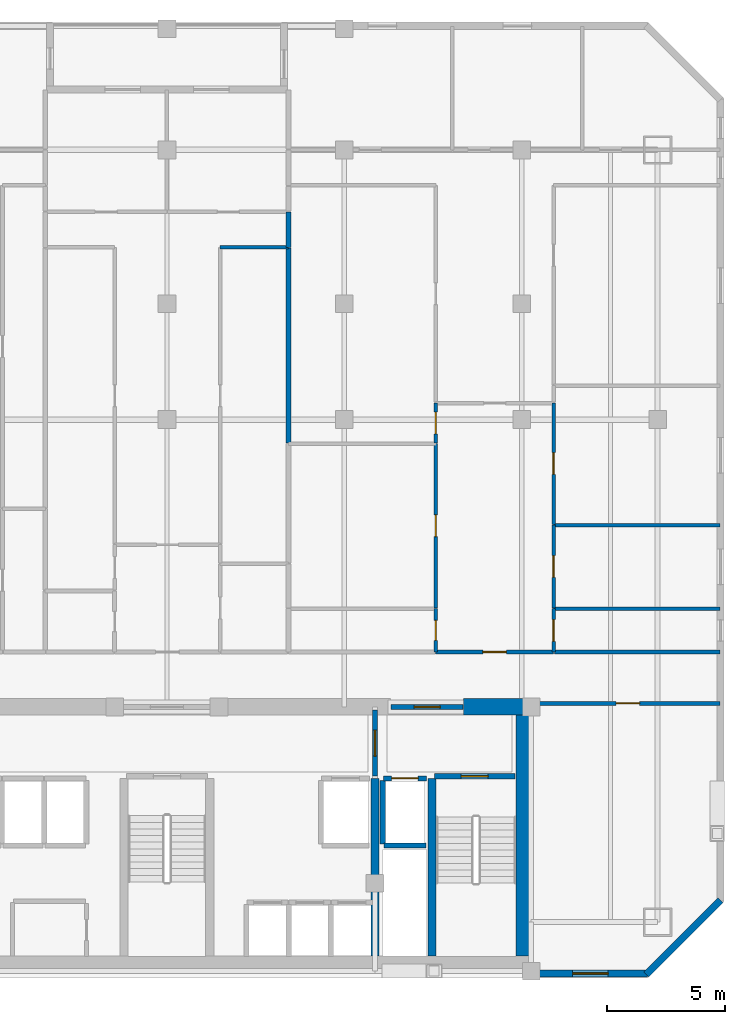
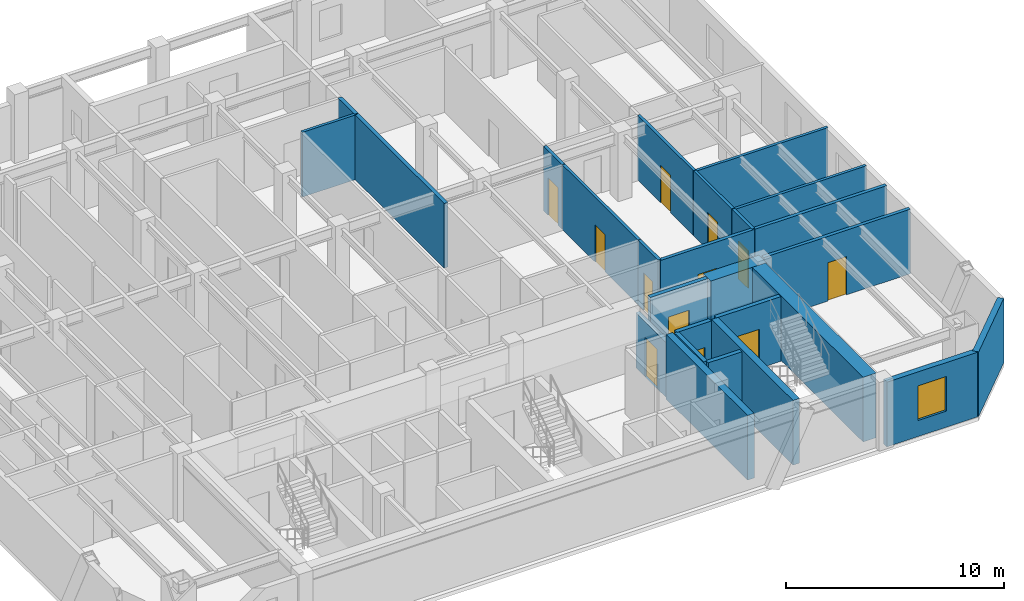
# One storey, part 5 of 8: 26 walls, 12 doors, 1 window, 13 openings.
"""IFC4 building model written with IfcOpenShell, lengths in metres."""

from ifc_helpers import new_model, si_unit, direction, frame, frame_2d, origin, place, context, subcontext, project, spatial, rectangle, extrude, material, layer, layer_set, type_object, element, fill, save


model = new_model("IFC4")

# Units and contexts
model_context = context("Model", 3, precision=1e-05, world=origin(), true_north=direction((0.0, 1.0)))
body_context = subcontext(model_context, "Body", "Model", "MODEL_VIEW")
ifc_project = project(units=[si_unit("LENGTHUNIT", "METRE"), si_unit("AREAUNIT", "SQUARE_METRE"), si_unit("VOLUMEUNIT", "CUBIC_METRE"), si_unit("PLANEANGLEUNIT", "RADIAN"), si_unit("MASSUNIT", "GRAM", prefix="KILO")], contexts=[model_context])

# Site, building, storey
site_placement = place(None, origin())
site = spatial("IfcSite", under=ifc_project, at=site_placement, CompositionType="ELEMENT")
building_placement = place(site_placement, origin())
building = spatial("IfcBuilding", under=site, at=building_placement, Name="Ventersveld Concourse Tower", CompositionType="ELEMENT")
storey_placement = place(building_placement, frame((0.0, 0.0, 176.0)))
storey = spatial("IfcBuildingStorey", under=building, at=storey_placement, Name="L43", CompositionType="ELEMENT", Elevation=176.0)

# Walls
ifc_material_1 = material(Name="Concrete C60/75", Category="concrete")
ifc_layer_1 = layer(ifc_material_1, 0.35009765625)
ifc_layer_set_1 = layer_set([ifc_layer_1], Name="Concrete C60/75")
wall_type_1 = type_object("IfcWallType", Name="WL-CORE-350L", PredefinedType="SHEAR", material=ifc_layer_set_1)
for number, where, z_axis, x_axis, name in (
    (1, (37.550048828125, 0.919921875, 0.0), (0.0, 0.0, 1.0), (0.0, 1.0, 0.0), "L43 Core Internal Shear Web W-SVL-W"),
    (2, (39.9599609375, 0.919921875, 0.0), (0.0, 0.0, 1.0), (0.0, 1.0, 0.0), "L43 Core Internal Shear Web W-ST2-W"),
):
    element("IfcWall", number, at=place(storey_placement, frame(where, z_axis=z_axis, x_axis=x_axis)), inside=storey, type_object=wall_type_1, Name=name, PredefinedType="SHEAR", context=body_context, shape_type="SweptSolid", body=[
        extrude(rectangle(XDim=7.5, YDim=0.35009765625, at=frame_2d((3.75, 0.0))), origin(), (0.0, 0.0, 1.0), 3.6298828125),
    ])
ifc_layer_2 = layer(ifc_material_1, 0.699951171875)
ifc_layer_set_2 = layer_set([ifc_layer_2], Name="Concrete C60/75")
wall_type_2 = type_object("IfcWallType", Name="WL-CORE-700", PredefinedType="SHEAR", material=ifc_layer_set_2)
wall_1_placement = place(storey_placement, frame((43.85009765625, 0.919921875, 0.0), z_axis=(0.0, 0.0, 1.0), x_axis=(0.0, 1.0, 0.0)))
element("IfcWall", 3, at=wall_1_placement, inside=storey, type_object=wall_type_2, Name="L43 Rear Core East Shear Wall", PredefinedType="SHEAR", context=body_context, shape_type="SweptSolid", body=[
    extrude(rectangle(XDim=10.530029296875, YDim=0.699951171875, at=frame_2d((5.26513671875, 0.0))), origin(), (0.0, 0.0, 1.0), 3.6298828125),
])
wall_2_placement = place(storey_placement, frame((41.300048828125, 11.449951171875, 0.0), z_axis=(0.0, 0.0, 1.0), x_axis=(1.0, 0.0, 0.0)))
element("IfcWall", 4, at=wall_2_placement, inside=storey, type_object=wall_type_2, Name="L43 Rear Core North Shear Wall NE", PredefinedType="SHEAR", context=body_context, shape_type="SweptSolid", body=[
    extrude(rectangle(XDim=2.949951171875, YDim=0.699951171875, at=frame_2d((1.47509765625, 0.0))), origin(), (0.0, 0.0, 1.0), 3.6298828125),
])

# Wall, opening, door
ifc_material_2 = material(Name="Fire-rated autoclaved aerated masonry blockwork", Category="masonry")
ifc_layer_3 = layer(ifc_material_2, 0.179931640625)
ifc_layer_set_3 = layer_set([ifc_layer_3], Name="Fire-rated autoclaved aerated masonry blockwork")
wall_type_3 = type_object("IfcWallType", Name="WL-CORR-180", PredefinedType="PARTITIONING", material=ifc_layer_set_3)
wall_3_placement = place(storey_placement, frame((44.35498046875, 11.60009765625, 0.0), z_axis=(0.0, 0.0, 1.0), x_axis=(1.0, 0.0, 0.0)))
wall_3 = element("IfcWall", 5, at=wall_3_placement, inside=storey, type_object=wall_type_3, Name="L43 Interior Partition SP-L43-SE-OFF-SP-L43-COR", PredefinedType="PARTITIONING", context=body_context, shape_type="SweptSolid", body=[
    extrude(rectangle(XDim=7.7724609375, YDim=0.179931640625, at=frame_2d((3.88623046875, 0.0))), origin(), (0.0, 0.0, 1.0), 3.6298828125),
])
opening_1_placement = place(wall_3_placement, frame((3.38623046875, 0.0, 0.0)))
opening_1 = element("IfcOpeningElement", 6, at=opening_1_placement, cuts=wall_3, Name="Opening FD3", PredefinedType="OPENING", context=body_context, shape_type="SweptSolid", body=[
    extrude(rectangle(XDim=1.0, YDim=2.14990234375, at=frame_2d((0.5, 1.074951171875))), frame((0.0, 0.10009765625, 0.0), z_axis=(0.0, -1.0, 0.0), x_axis=(1.0, 0.0, 0.0)), (0.0, 0.0, 1.0), 0.199951171875),
])
ifc_material_3 = material(Name="Solid-core hardwood veneer timber", Category="wood")
door_type_1 = type_object("IfcDoorType", Name="DR-FLAT-100", OperationType="NOTDEFINED", PredefinedType="DOOR", material=ifc_material_3)
door_1_placement = place(opening_1_placement, origin())
door_1 = element("IfcDoor", 7, at=door_1_placement, inside=storey, type_object=door_type_1, Name="L43 Interior Door SP-L43-SE-OFF to SP-L43-COR (D-L43-2102)", OperationType="SINGLE_SWING_RIGHT", OverallHeight=2.14990234375, OverallWidth=1.0, PredefinedType="DOOR", context=body_context, shape_type="SweptSolid", body=[
    extrude(rectangle(XDim=1.0, YDim=2.14990234375, at=frame_2d((0.5, 1.074951171875))), frame((0.0, 0.02490234375, 0.0), z_axis=(0.0, -1.0, 0.0), x_axis=(1.0, 0.0, 0.0)), (0.0, 0.0, 1.0), 0.050048828125),
])
fill(opening_1, door_1)

wall_4_placement = place(storey_placement, frame((40.112548828125, 13.77001953125, 0.0), z_axis=(0.0, 0.0, 1.0), x_axis=(1.0, 0.0, 0.0)))
wall_4 = element("IfcWall", 8, at=wall_4_placement, inside=storey, type_object=wall_type_3, Name="L43 Interior Partition SP-L43-COR-SP-L43-43CE-FOY", PredefinedType="PARTITIONING", context=body_context, shape_type="SweptSolid", body=[
    extrude(rectangle(XDim=4.989990234375, YDim=0.179931640625, at=frame_2d((2.4951171875, 0.0))), origin(), (0.0, 0.0, 1.0), 3.6298828125),
])
opening_2_placement = place(wall_4_placement, frame((1.9951171875, 0.0, 0.0)))
opening_2 = element("IfcOpeningElement", 9, at=opening_2_placement, cuts=wall_4, Name="Opening FD3", PredefinedType="OPENING", context=body_context, shape_type="SweptSolid", body=[
    extrude(rectangle(XDim=1.0, YDim=2.14990234375, at=frame_2d((0.5, 1.074951171875))), frame((0.0, 0.10009765625, 0.0), z_axis=(0.0, -1.0, 0.0), x_axis=(1.0, 0.0, 0.0)), (0.0, 0.0, 1.0), 0.199951171875),
])
door_2_placement = place(opening_2_placement, origin())
door_2 = element("IfcDoor", 10, at=door_2_placement, inside=storey, type_object=door_type_1, Name="L43 Interior Door SP-L43-COR to SP-L43-43CE-FOY (FD-L43-2105)", OperationType="SINGLE_SWING_LEFT", OverallHeight=2.14990234375, OverallWidth=1.0, PredefinedType="DOOR", context=body_context, shape_type="SweptSolid", body=[
    extrude(rectangle(XDim=1.0, YDim=2.14990234375, at=frame_2d((0.5, 1.074951171875))), frame((0.0, 0.02490234375, 0.0), z_axis=(0.0, -1.0, 0.0), x_axis=(1.0, 0.0, 0.0)), (0.0, 0.0, 1.0), 0.050048828125),
])
fill(opening_2, door_2)

# Walls
wall_5_placement = place(storey_placement, frame((45.132568359375, 13.77001953125, 0.0), z_axis=(0.0, 0.0, 1.0), x_axis=(1.0, 0.0, 0.0)))
element("IfcWall", 11, at=wall_5_placement, inside=storey, type_object=wall_type_3, Name="L43 Interior Partition SP-L43-COR-SP-L43-43CE-KIT", PredefinedType="PARTITIONING", context=body_context, shape_type="SweptSolid", body=[
    extrude(rectangle(XDim=6.994873046875, YDim=0.179931640625, at=frame_2d((3.49755859375, 0.0))), origin(), (0.0, 0.0, 1.0), 3.6298828125),
])
ifc_layer_4 = layer(ifc_material_2, 0.199951171875)
ifc_layer_set_4 = layer_set([ifc_layer_4], Name="Fire-rated autoclaved aerated masonry blockwork")
wall_type_4 = type_object("IfcWallType", Name="WL-DEMISE-200", PredefinedType="PARTITIONING", material=ifc_layer_set_4)
wall_6_placement = place(storey_placement, frame((33.889892578125, 30.875, 0.0), z_axis=(0.0, 0.0, 1.0), x_axis=(0.0, 1.0, 0.0)))
element("IfcWall", 12, at=wall_6_placement, inside=storey, type_object=wall_type_4, Name="L43 Interior Partition SP-L43-43CE-DENL2-SP-L43-43CM-LIV", PredefinedType="PARTITIONING", context=body_context, shape_type="SweptSolid", body=[
    extrude(rectangle(XDim=1.510009765625, YDim=0.199951171875, at=frame_2d((0.7548828125, 0.0))), origin(), (0.0, 0.0, 1.0), 3.6298828125),
])
wall_7_placement = place(storey_placement, frame((33.889892578125, 22.609619140625, 0.0), z_axis=(0.0, 0.0, 1.0), x_axis=(0.0, 1.0, 0.0)))
element("IfcWall", 13, at=wall_7_placement, inside=storey, type_object=wall_type_4, Name="L43 Interior Partition SP-L43-43CE-DENL2-SP-L43-43CM-SEMR1", PredefinedType="PARTITIONING", context=body_context, shape_type="SweptSolid", body=[
    extrude(rectangle(XDim=8.2353515625, YDim=0.199951171875, at=frame_2d((4.11767578125, 0.0))), origin(), (0.0, 0.0, 1.0), 3.6298828125),
])
ifc_layer_5 = layer(ifc_material_2, 0.219970703125)
ifc_layer_set_5 = layer_set([ifc_layer_5], Name="Fire-rated autoclaved aerated masonry blockwork")
wall_type_5 = type_object("IfcWallType", Name="WL-HOIST-220", PredefinedType="SOLIDWALL", material=ifc_layer_set_5)
wall_8_placement = place(storey_placement, frame((37.919921875, 5.590087890625, 0.0), z_axis=(0.0, 0.0, 1.0), x_axis=(1.0, 0.0, 0.0)))
element("IfcWall", 14, at=wall_8_placement, inside=storey, type_object=wall_type_5, Name="L43 Lift Hoistway Back Wall FFL-02", PredefinedType="SOLIDWALL", context=body_context, shape_type="SweptSolid", body=[
    extrude(rectangle(XDim=1.780029296875, YDim=0.219970703125, at=frame_2d((0.89013671875, 0.0))), origin(), (0.0, 0.0, 1.0), 3.6298828125),
])
wall_9_placement = place(storey_placement, frame((37.8798828125, 5.64990234375, 0.0), z_axis=(0.0, 0.0, 1.0), x_axis=(0.0, 1.0, 0.0)))
element("IfcWall", 15, at=wall_9_placement, inside=storey, type_object=wall_type_5, Name="L43 Lift Hoistway Side Wall FFL-02W", PredefinedType="SOLIDWALL", context=body_context, shape_type="SweptSolid", body=[
    extrude(rectangle(XDim=2.7001953125, YDim=0.219970703125, at=frame_2d((1.35009765625, 0.0))), origin(), (0.0, 0.0, 1.0), 3.6298828125),
])

# Wall, opening, door
wall_10_placement = place(storey_placement, frame((37.89990234375, 8.429931640625, 0.0), z_axis=(0.0, 0.0, 1.0), x_axis=(1.0, 0.0, 0.0)))
wall_10 = element("IfcWall", 16, at=wall_10_placement, inside=storey, type_object=wall_type_5, Name="L43 Lift Hoistway Front Wall FFL-02", PredefinedType="SOLIDWALL", context=body_context, shape_type="SweptSolid", body=[
    extrude(rectangle(XDim=1.820068359375, YDim=0.219970703125, at=frame_2d((0.91015625, 0.0))), origin(), (0.0, 0.0, 1.0), 3.6298828125),
])
opening_3_placement = place(wall_10_placement, frame((0.35009765625, 0.0, 0.0)))
opening_3 = element("IfcOpeningElement", 17, at=opening_3_placement, cuts=wall_10, Name="Opening LD1", PredefinedType="OPENING", context=body_context, shape_type="SweptSolid", body=[
    extrude(rectangle(XDim=1.1201171875, YDim=2.25, at=frame_2d((0.56005859375, 1.125))), frame((0.0, 0.1201171875, 0.0), z_axis=(0.0, -1.0, 0.0), x_axis=(1.0, 0.0, 0.0)), (0.0, 0.0, 1.0), 0.239990234375),
])
ifc_material_4 = material(Name="Brushed stainless steel 316", Category="steel")
door_type_2 = type_object("IfcDoorType", Name="LD-FF-112", OperationType="SLIDING_TO_LEFT", PredefinedType="DOOR", material=ifc_material_4)
door_3_placement = place(opening_3_placement, origin())
door_3 = element("IfcDoor", 18, at=door_3_placement, inside=storey, type_object=door_type_2, Name="L43 Lift landing door FFL-02 (LD-L43-FFL-02)", OperationType="SLIDING_TO_RIGHT", OverallHeight=2.25, OverallWidth=1.1201171875, PredefinedType="DOOR", context=body_context, shape_type="SweptSolid", body=[
    extrude(rectangle(XDim=1.1201171875, YDim=2.25, at=frame_2d((0.56005859375, 1.125))), frame((0.0, 0.02490234375, 0.0), z_axis=(0.0, -1.0, 0.0), x_axis=(1.0, 0.0, 0.0)), (0.0, 0.0, 1.0), 0.050048828125),
])
fill(opening_3, door_3)

wall_11_placement = place(storey_placement, frame((40.06005859375, 8.52001953125, 0.0), z_axis=(0.0, 0.0, 1.0), x_axis=(1.0, 0.0, 0.0)))
wall_11 = element("IfcWall", 19, at=wall_11_placement, inside=storey, type_object=wall_type_5, Name="L43 Escape Stair ST02 Fire Wall", PredefinedType="SOLIDWALL", context=body_context, shape_type="SweptSolid", body=[
    extrude(rectangle(XDim=3.39990234375, YDim=0.219970703125, at=frame_2d((1.699951171875, 0.0))), origin(), (0.0, 0.0, 1.0), 3.6298828125),
])
opening_4_placement = place(wall_11_placement, frame((1.125, 0.0, 0.0)))
opening_4 = element("IfcOpeningElement", 20, at=opening_4_placement, cuts=wall_11, Name="Opening FD1", PredefinedType="OPENING", context=body_context, shape_type="SweptSolid", body=[
    extrude(rectangle(XDim=1.14990234375, YDim=2.199951171875, at=frame_2d((0.574951171875, 1.10009765625))), frame((0.0, 0.1201171875, 0.0), z_axis=(0.0, -1.0, 0.0), x_axis=(1.0, 0.0, 0.0)), (0.0, 0.0, 1.0), 0.239990234375),
])
ifc_material_5 = material(Name="Galvanised painted steel", Category="steel")
door_type_3 = type_object("IfcDoorType", Name="DR-STAIR-115", OperationType="NOTDEFINED", PredefinedType="DOOR", material=ifc_material_5)
door_4_placement = place(opening_4_placement, origin())
door_4 = element("IfcDoor", 21, at=door_4_placement, inside=storey, type_object=door_type_3, Name="L43 Escape Stair Door ST02 (SD-L43-2093)", OperationType="SINGLE_SWING_RIGHT", OverallHeight=2.199951171875, OverallWidth=1.14990234375, PredefinedType="DOOR", context=body_context, shape_type="SweptSolid", body=[
    extrude(rectangle(XDim=1.14990234375, YDim=2.199951171875, at=frame_2d((0.574951171875, 1.10009765625))), frame((0.0, 0.02490234375, 0.0), z_axis=(0.0, -1.0, 0.0), x_axis=(1.0, 0.0, 0.0)), (0.0, 0.0, 1.0), 0.050048828125),
])
fill(opening_4, door_4)

wall_12_placement = place(storey_placement, frame((37.550048828125, 8.52001953125, 0.0), z_axis=(0.0, 0.0, 1.0), x_axis=(0.0, 1.0, 0.0)))
wall_12 = element("IfcWall", 22, at=wall_12_placement, inside=storey, type_object=wall_type_5, Name="L43 Firefighting Lobby Smoke-Stop Wall FFLE-SEP", PredefinedType="SOLIDWALL", context=body_context, shape_type="SweptSolid", body=[
    extrude(rectangle(XDim=2.800048828125, YDim=0.219970703125, at=frame_2d((1.39990234375, 0.0))), origin(), (0.0, 0.0, 1.0), 3.08544921875),
])
opening_5_placement = place(wall_12_placement, frame((0.85009765625, 0.0, 0.0)))
opening_5 = element("IfcOpeningElement", 23, at=opening_5_placement, cuts=wall_12, Name="Opening FD2", PredefinedType="OPENING", context=body_context, shape_type="SweptSolid", body=[
    extrude(rectangle(XDim=1.10009765625, YDim=2.199951171875, at=frame_2d((0.550048828125, 1.10009765625))), frame((0.0, 0.1201171875, 0.0), z_axis=(0.0, -1.0, 0.0), x_axis=(1.0, 0.0, 0.0)), (0.0, 0.0, 1.0), 0.239990234375),
])
door_type_4 = type_object("IfcDoorType", Name="DR-FFL-110", OperationType="NOTDEFINED", PredefinedType="DOOR", material=ifc_material_5)
door_5_placement = place(opening_5_placement, origin())
door_5 = element("IfcDoor", 24, at=door_5_placement, inside=storey, type_object=door_type_4, Name="L43 Firefighting Lobby Door FFLE-SEP (FD-L43-2096)", OperationType="SINGLE_SWING_RIGHT", OverallHeight=2.199951171875, OverallWidth=1.10009765625, PredefinedType="DOOR", context=body_context, shape_type="SweptSolid", body=[
    extrude(rectangle(XDim=1.10009765625, YDim=2.199951171875, at=frame_2d((0.550048828125, 1.10009765625))), frame((0.0, 0.02490234375, 0.0), z_axis=(0.0, -1.0, 0.0), x_axis=(1.0, 0.0, 0.0)), (0.0, 0.0, 1.0), 0.050048828125),
])
fill(opening_5, door_5)

wall_13_placement = place(storey_placement, frame((38.22998046875, 11.449951171875, 0.0), z_axis=(0.0, 0.0, 1.0), x_axis=(1.0, 0.0, 0.0)))
wall_13 = element("IfcWall", 25, at=wall_13_placement, inside=storey, type_object=wall_type_5, Name="L43 Core North Fire Portal FFLE-OUT", PredefinedType="SOLIDWALL", context=body_context, shape_type="SweptSolid", body=[
    extrude(rectangle(XDim=3.0400390625, YDim=0.219970703125, at=frame_2d((1.52001953125, 0.0))), origin(), (0.0, 0.0, 1.0), 3.6298828125),
])
opening_6_placement = place(wall_13_placement, frame((0.969970703125, 0.0, 0.0)))
opening_6 = element("IfcOpeningElement", 26, at=opening_6_placement, cuts=wall_13, Name="Opening FD2", PredefinedType="OPENING", context=body_context, shape_type="SweptSolid", body=[
    extrude(rectangle(XDim=1.10009765625, YDim=2.199951171875, at=frame_2d((0.550048828125, 1.10009765625))), frame((0.0, 0.1201171875, 0.0), z_axis=(0.0, -1.0, 0.0), x_axis=(1.0, 0.0, 0.0)), (0.0, 0.0, 1.0), 0.239990234375),
])
door_6_placement = place(opening_6_placement, origin())
door_6 = element("IfcDoor", 27, at=door_6_placement, inside=storey, type_object=door_type_4, Name="L43 Core Lobby Fire Door FFLE-OUT (FD-L43-2099)", OperationType="SINGLE_SWING_LEFT", OverallHeight=2.199951171875, OverallWidth=1.10009765625, PredefinedType="DOOR", context=body_context, shape_type="SweptSolid", body=[
    extrude(rectangle(XDim=1.10009765625, YDim=2.199951171875, at=frame_2d((0.550048828125, 1.10009765625))), frame((0.0, 0.02490234375, 0.0), z_axis=(0.0, -1.0, 0.0), x_axis=(1.0, 0.0, 0.0)), (0.0, 0.0, 1.0), 0.050048828125),
])
fill(opening_6, door_6)

ifc_material_6 = material(Name="Autoclaved aerated masonry blockwork", Category="masonry")
ifc_layer_6 = layer(ifc_material_6, 0.14990234375)
ifc_layer_set_6 = layer_set([ifc_layer_6], Name="Autoclaved aerated masonry blockwork")
wall_type_6 = type_object("IfcWallType", Name="WL-INT-150", PredefinedType="PARTITIONING", material=ifc_layer_set_6)
wall_14_placement = place(storey_placement, frame((40.11767578125, 15.635009765625, 0.0), z_axis=(0.0, 0.0, 1.0), x_axis=(0.0, 1.0, 0.0)))
wall_14 = element("IfcWall", 28, at=wall_14_placement, inside=storey, type_object=wall_type_6, Name="L43 Interior Partition SP-L43-43CE-FOY-SP-L43-43CE-MEDL0", PredefinedType="PARTITIONING", context=body_context, shape_type="SweptSolid", body=[
    extrude(rectangle(XDim=6.944580078125, YDim=0.14990234375, at=frame_2d((3.47216796875, 0.0))), origin(), (0.0, 0.0, 1.0), 3.6298828125),
])
opening_7_placement = place(wall_14_placement, frame((3.01220703125, 0.0, 0.0)))
opening_7 = element("IfcOpeningElement", 29, at=opening_7_placement, cuts=wall_14, Name="Opening ID1", PredefinedType="OPENING", context=body_context, shape_type="SweptSolid", body=[
    extrude(rectangle(XDim=0.919921875, YDim=2.10009765625, at=frame_2d((0.4599609375, 1.050048828125))), frame((0.0, 0.0849609375, 0.0), z_axis=(0.0, -1.0, 0.0), x_axis=(1.0, 0.0, 0.0)), (0.0, 0.0, 1.0), 0.169921875),
])
door_type_5 = type_object("IfcDoorType", Name="DR-ROOM-092", OperationType="NOTDEFINED", PredefinedType="DOOR", material=ifc_material_3)
door_7_placement = place(opening_7_placement, origin())
door_7 = element("IfcDoor", 30, at=door_7_placement, inside=storey, type_object=door_type_5, Name="L43 Interior Door SP-L43-43CE-FOY to SP-L43-43CE-MEDL0 (D-L43-2123)", OperationType="SINGLE_SWING_LEFT", OverallHeight=2.10009765625, OverallWidth=0.919921875, PredefinedType="DOOR", context=body_context, shape_type="SweptSolid", body=[
    extrude(rectangle(XDim=0.919921875, YDim=2.10009765625, at=frame_2d((0.4599609375, 1.050048828125))), frame((0.0, 0.02490234375, 0.0), z_axis=(0.0, -1.0, 0.0), x_axis=(1.0, 0.0, 0.0)), (0.0, 0.0, 1.0), 0.050048828125),
])
fill(opening_7, door_7)

wall_15_placement = place(storey_placement, frame((40.11767578125, 22.609619140625, 0.0), z_axis=(0.0, 0.0, 1.0), x_axis=(0.0, 1.0, 0.0)))
wall_15 = element("IfcWall", 31, at=wall_15_placement, inside=storey, type_object=wall_type_6, Name="L43 Interior Partition SP-L43-43CE-FOY-SP-L43-43CE-DENL2", PredefinedType="PARTITIONING", context=body_context, shape_type="SweptSolid", body=[
    extrude(rectangle(XDim=1.693603515625, YDim=0.14990234375, at=frame_2d((0.8466796875, 0.0))), origin(), (0.0, 0.0, 1.0), 3.6298828125),
])
opening_8_placement = place(wall_15_placement, frame((0.38671875, 0.0, 0.0)))
opening_8 = element("IfcOpeningElement", 32, at=opening_8_placement, cuts=wall_15, Name="Opening ID1", PredefinedType="OPENING", context=body_context, shape_type="SweptSolid", body=[
    extrude(rectangle(XDim=0.919921875, YDim=2.10009765625, at=frame_2d((0.4599609375, 1.050048828125))), frame((0.0, 0.0849609375, 0.0), z_axis=(0.0, -1.0, 0.0), x_axis=(1.0, 0.0, 0.0)), (0.0, 0.0, 1.0), 0.169921875),
])
door_8_placement = place(opening_8_placement, origin())
door_8 = element("IfcDoor", 33, at=door_8_placement, inside=storey, type_object=door_type_5, Name="L43 Interior Door SP-L43-43CE-FOY to SP-L43-43CE-DENL2 (D-L43-2124)", OperationType="SINGLE_SWING_RIGHT", OverallHeight=2.10009765625, OverallWidth=0.919921875, PredefinedType="DOOR", context=body_context, shape_type="SweptSolid", body=[
    extrude(rectangle(XDim=0.919921875, YDim=2.10009765625, at=frame_2d((0.4599609375, 1.050048828125))), frame((0.0, 0.02490234375, 0.0), z_axis=(0.0, -1.0, 0.0), x_axis=(1.0, 0.0, 0.0)), (0.0, 0.0, 1.0), 0.050048828125),
])
fill(opening_8, door_8)

wall_16_placement = place(storey_placement, frame((45.09765625, 13.764892578125, 0.0), z_axis=(0.0, 0.0, 1.0), x_axis=(0.0, 1.0, 0.0)))
wall_16 = element("IfcWall", 34, at=wall_16_placement, inside=storey, type_object=wall_type_6, Name="L43 Interior Partition SP-L43-43CE-FOY-SP-L43-43CE-KIT", PredefinedType="PARTITIONING", context=body_context, shape_type="SweptSolid", body=[
    extrude(rectangle(XDim=1.840087890625, YDim=0.14990234375, at=frame_2d((0.919921875, 0.0))), origin(), (0.0, 0.0, 1.0), 3.6298828125),
])
opening_9_placement = place(wall_16_placement, frame((0.4599609375, 0.0, 0.0)))
opening_9 = element("IfcOpeningElement", 35, at=opening_9_placement, cuts=wall_16, Name="Opening ID1", PredefinedType="OPENING", context=body_context, shape_type="SweptSolid", body=[
    extrude(rectangle(XDim=0.919921875, YDim=2.10009765625, at=frame_2d((0.4599609375, 1.050048828125))), frame((0.0, 0.0849609375, 0.0), z_axis=(0.0, -1.0, 0.0), x_axis=(1.0, 0.0, 0.0)), (0.0, 0.0, 1.0), 0.169921875),
])
door_9_placement = place(opening_9_placement, origin())
door_9 = element("IfcDoor", 36, at=door_9_placement, inside=storey, type_object=door_type_5, Name="L43 Interior Door SP-L43-43CE-FOY to SP-L43-43CE-KIT (D-L43-2125)", OperationType="SINGLE_SWING_LEFT", OverallHeight=2.10009765625, OverallWidth=0.919921875, PredefinedType="DOOR", context=body_context, shape_type="SweptSolid", body=[
    extrude(rectangle(XDim=0.919921875, YDim=2.10009765625, at=frame_2d((0.4599609375, 1.050048828125))), frame((0.0, 0.02490234375, 0.0), z_axis=(0.0, -1.0, 0.0), x_axis=(1.0, 0.0, 0.0)), (0.0, 0.0, 1.0), 0.050048828125),
])
fill(opening_9, door_9)

wall_17_placement = place(storey_placement, frame((45.09765625, 15.635009765625, 0.0), z_axis=(0.0, 0.0, 1.0), x_axis=(0.0, 1.0, 0.0)))
wall_17 = element("IfcWall", 37, at=wall_17_placement, inside=storey, type_object=wall_type_6, Name="L43 Interior Partition SP-L43-43CE-FOY-SP-L43-43CE-SEMR1", PredefinedType="PARTITIONING", context=body_context, shape_type="SweptSolid", body=[
    extrude(rectangle(XDim=3.5087890625, YDim=0.14990234375, at=frame_2d((1.75439453125, 0.0))), origin(), (0.0, 0.0, 1.0), 3.6298828125),
])
opening_10_placement = place(wall_17_placement, frame((1.29443359375, 0.0, 0.0)))
opening_10 = element("IfcOpeningElement", 38, at=opening_10_placement, cuts=wall_17, Name="Opening ID1", PredefinedType="OPENING", context=body_context, shape_type="SweptSolid", body=[
    extrude(rectangle(XDim=0.919921875, YDim=2.10009765625, at=frame_2d((0.4599609375, 1.050048828125))), frame((0.0, 0.0849609375, 0.0), z_axis=(0.0, -1.0, 0.0), x_axis=(1.0, 0.0, 0.0)), (0.0, 0.0, 1.0), 0.169921875),
])
door_10_placement = place(opening_10_placement, origin())
door_10 = element("IfcDoor", 39, at=door_10_placement, inside=storey, type_object=door_type_5, Name="L43 Interior Door SP-L43-43CE-FOY to SP-L43-43CE-SEMR1 (D-L43-2126)", OperationType="SINGLE_SWING_RIGHT", OverallHeight=2.10009765625, OverallWidth=0.919921875, PredefinedType="DOOR", context=body_context, shape_type="SweptSolid", body=[
    extrude(rectangle(XDim=0.919921875, YDim=2.10009765625, at=frame_2d((0.4599609375, 1.050048828125))), frame((0.0, 0.02490234375, 0.0), z_axis=(0.0, -1.0, 0.0), x_axis=(1.0, 0.0, 0.0)), (0.0, 0.0, 1.0), 0.050048828125),
])
fill(opening_10, door_10)

wall_18_placement = place(storey_placement, frame((45.09765625, 19.173828125, 0.0), z_axis=(0.0, 0.0, 1.0), x_axis=(0.0, 1.0, 0.0)))
wall_18 = element("IfcWall", 40, at=wall_18_placement, inside=storey, type_object=wall_type_6, Name="L43 Interior Partition SP-L43-43CE-FOY-SP-L43-43CE-DENS", PredefinedType="PARTITIONING", context=body_context, shape_type="SweptSolid", body=[
    extrude(rectangle(XDim=5.12939453125, YDim=0.14990234375, at=frame_2d((2.564697265625, 0.0))), origin(), (0.0, 0.0, 1.0), 3.6298828125),
])
opening_11_placement = place(wall_18_placement, frame((2.104736328125, 0.0, 0.0)))
opening_11 = element("IfcOpeningElement", 41, at=opening_11_placement, cuts=wall_18, Name="Opening ID1", PredefinedType="OPENING", context=body_context, shape_type="SweptSolid", body=[
    extrude(rectangle(XDim=0.919921875, YDim=2.10009765625, at=frame_2d((0.4599609375, 1.050048828125))), frame((0.0, 0.0849609375, 0.0), z_axis=(0.0, -1.0, 0.0), x_axis=(1.0, 0.0, 0.0)), (0.0, 0.0, 1.0), 0.169921875),
])
door_11_placement = place(opening_11_placement, origin())
door_11 = element("IfcDoor", 42, at=door_11_placement, inside=storey, type_object=door_type_5, Name="L43 Interior Door SP-L43-43CE-FOY to SP-L43-43CE-DENS (D-L43-2127)", OperationType="SINGLE_SWING_LEFT", OverallHeight=2.10009765625, OverallWidth=0.919921875, PredefinedType="DOOR", context=body_context, shape_type="SweptSolid", body=[
    extrude(rectangle(XDim=0.919921875, YDim=2.10009765625, at=frame_2d((0.4599609375, 1.050048828125))), frame((0.0, 0.02490234375, 0.0), z_axis=(0.0, -1.0, 0.0), x_axis=(1.0, 0.0, 0.0)), (0.0, 0.0, 1.0), 0.050048828125),
])
fill(opening_11, door_11)

# Walls
for number, where, z_axis, x_axis, name in (
    (43, (45.092529296875, 15.60009765625, 0.0), (0.0, 0.0, 1.0), (1.0, 0.0, 0.0), "L43 Interior Partition SP-L43-43CE-KIT-SP-L43-43CE-SEMR1"),
    (44, (45.092529296875, 19.138916015625, 0.0), (0.0, 0.0, 1.0), (1.0, 0.0, 0.0), "L43 Interior Partition SP-L43-43CE-SEMR1-SP-L43-43CE-DENS"),
):
    element("IfcWall", number, at=place(storey_placement, frame(where, z_axis=z_axis, x_axis=x_axis)), inside=storey, type_object=wall_type_6, Name=name, PredefinedType="PARTITIONING", context=body_context, shape_type="SweptSolid", body=[
        extrude(rectangle(XDim=7.034912109375, YDim=0.14990234375, at=frame_2d((3.517578125, 0.0))), origin(), (0.0, 0.0, 1.0), 3.6298828125),
    ])
wall_19_placement = place(storey_placement, frame((30.9990234375, 30.8798828125, 0.0), z_axis=(0.0, 0.0, 1.0), x_axis=(1.0, 0.0, 0.0)))
element("IfcWall", 45, at=wall_19_placement, inside=storey, type_object=wall_type_6, Name="L43 Interior Partition SP-L43-43CM-LIV-SP-L43-43CM-SEMR1", PredefinedType="PARTITIONING", context=body_context, shape_type="SweptSolid", body=[
    extrude(rectangle(XDim=2.89599609375, YDim=0.14990234375, at=frame_2d((1.447998046875, 0.0))), origin(), (0.0, 0.0, 1.0), 3.6298828125),
])

# Wall, opening, window
ifc_material_7 = material(Name="Precast concrete C45/55", Category="concrete")
ifc_layer_7 = layer(ifc_material_7, 0.300048828125)
ifc_layer_set_7 = layer_set([ifc_layer_7], Name="Precast concrete C45/55")
wall_type_7 = type_object("IfcWallType", Name="WL-PREC-300", PredefinedType="SOLIDWALL", material=ifc_layer_set_7)
wall_20_placement = place(storey_placement, frame((44.25, 0.179931640625, 0.0), z_axis=(0.0, 0.0, 1.0), x_axis=(1.0, 0.0, 0.0)))
wall_20 = element("IfcWall", 46, at=wall_20_placement, inside=storey, type_object=wall_type_7, Name="L43 South-East Flank Precast Wall", PredefinedType="SOLIDWALL", context=body_context, shape_type="SweptSolid", body=[
    extrude(rectangle(XDim=4.81005859375, YDim=0.300048828125, at=frame_2d((2.405029296875, 0.0))), origin(), (0.0, 0.0, 1.0), 3.6298828125),
])
opening_12_placement = place(wall_20_placement, frame((1.655029296875, 0.0, 0.89990234375)))
opening_12 = element("IfcOpeningElement", 47, at=opening_12_placement, cuts=wall_20, Name="Opening W1", PredefinedType="OPENING", context=body_context, shape_type="SweptSolid", body=[
    extrude(rectangle(XDim=1.5, YDim=1.949951171875, at=frame_2d((0.75, 0.97509765625))), frame((0.0, 0.16015625, 0.0), z_axis=(0.0, -1.0, 0.0), x_axis=(1.0, 0.0, 0.0)), (0.0, 0.0, 1.0), 0.320068359375),
])
ifc_material_8 = material(Name="Tempered acoustic Low-E IGU", Category="glass")
window_type = type_object("IfcWindowType", Name="WIN-150x210", PartitioningType="SINGLE_PANEL", PredefinedType="WINDOW", material=ifc_material_8)
window_placement = place(opening_12_placement, origin())
window = element("IfcWindow", 48, at=window_placement, inside=storey, type_object=window_type, Name="L43 Punched Low-E Window W-0583", OverallHeight=1.949951171875, OverallWidth=1.5, PartitioningType="SINGLE_PANEL", PredefinedType="WINDOW", context=body_context, shape_type="SweptSolid", body=[
    extrude(rectangle(XDim=1.5, YDim=1.949951171875, at=frame_2d((0.75, 0.97509765625))), frame((0.0, 0.030029296875, 0.0), z_axis=(0.0, -1.0, 0.0), x_axis=(1.0, 0.0, 0.0)), (0.0, 0.0, 1.0), 0.06005859375),
])
fill(opening_12, window)

# Wall
wall_21_placement = place(storey_placement, frame((49.022216796875, 0.134521484375, 0.0), z_axis=(0.0, 0.0, 1.0), x_axis=(0.707106781187, 0.707106781187, 0.0)))
element("IfcWall", 49, at=wall_21_placement, inside=storey, type_object=wall_type_7, Name="L43 Highveld Precast Facade Wall E02", PredefinedType="SOLIDWALL", context=body_context, shape_type="SweptSolid", body=[
    extrude(rectangle(XDim=4.4453125, YDim=0.300048828125, at=frame_2d((2.22265625, 0.0))), origin(), (0.0, 0.0, 1.0), 3.6298828125),
])

# Wall, opening, door
ifc_layer_8 = layer(ifc_material_6, 0.1650390625)
ifc_layer_set_8 = layer_set([ifc_layer_8], Name="Autoclaved aerated masonry blockwork")
wall_type_8 = type_object("IfcWallType", Name="WL-WET-165", PredefinedType="PLUMBINGWALL", material=ifc_layer_set_8)
wall_22_placement = place(storey_placement, frame((40.11767578125, 13.764892578125, 0.0), z_axis=(0.0, 0.0, 1.0), x_axis=(0.0, 1.0, 0.0)))
wall_22 = element("IfcWall", 50, at=wall_22_placement, inside=storey, type_object=wall_type_8, Name="L43 Interior Partition SP-L43-43CE-FOY-SP-L43-43CE-BATH", PredefinedType="PLUMBINGWALL", context=body_context, shape_type="SweptSolid", body=[
    extrude(rectangle(XDim=1.840087890625, YDim=0.1650390625, at=frame_2d((0.919921875, 0.0))), origin(), (0.0, 0.0, 1.0), 3.6298828125),
])
opening_13_placement = place(wall_22_placement, frame((0.4951171875, 0.0, 0.0)))
opening_13 = element("IfcOpeningElement", 51, at=opening_13_placement, cuts=wall_22, Name="Opening ID2", PredefinedType="OPENING", context=body_context, shape_type="SweptSolid", body=[
    extrude(rectangle(XDim=0.85009765625, YDim=2.10009765625, at=frame_2d((0.425048828125, 1.050048828125))), frame((0.0, 0.092529296875, 0.0), z_axis=(0.0, -1.0, 0.0), x_axis=(1.0, 0.0, 0.0)), (0.0, 0.0, 1.0), 0.18505859375),
])
door_type_6 = type_object("IfcDoorType", Name="DR-BATH-085", OperationType="NOTDEFINED", PredefinedType="DOOR", material=ifc_material_3)
door_12_placement = place(opening_13_placement, origin())
door_12 = element("IfcDoor", 52, at=door_12_placement, inside=storey, type_object=door_type_6, Name="L43 Interior Door SP-L43-43CE-FOY to SP-L43-43CE-BATH (D-L43-2122)", OperationType="SINGLE_SWING_RIGHT", OverallHeight=2.10009765625, OverallWidth=0.85009765625, PredefinedType="DOOR", context=body_context, shape_type="SweptSolid", body=[
    extrude(rectangle(XDim=0.85009765625, YDim=2.10009765625, at=frame_2d((0.425048828125, 1.050048828125))), frame((0.0, 0.02490234375, 0.0), z_axis=(0.0, -1.0, 0.0), x_axis=(1.0, 0.0, 0.0)), (0.0, 0.0, 1.0), 0.050048828125),
])
fill(opening_13, door_12)

save(model, "model.ifc")
